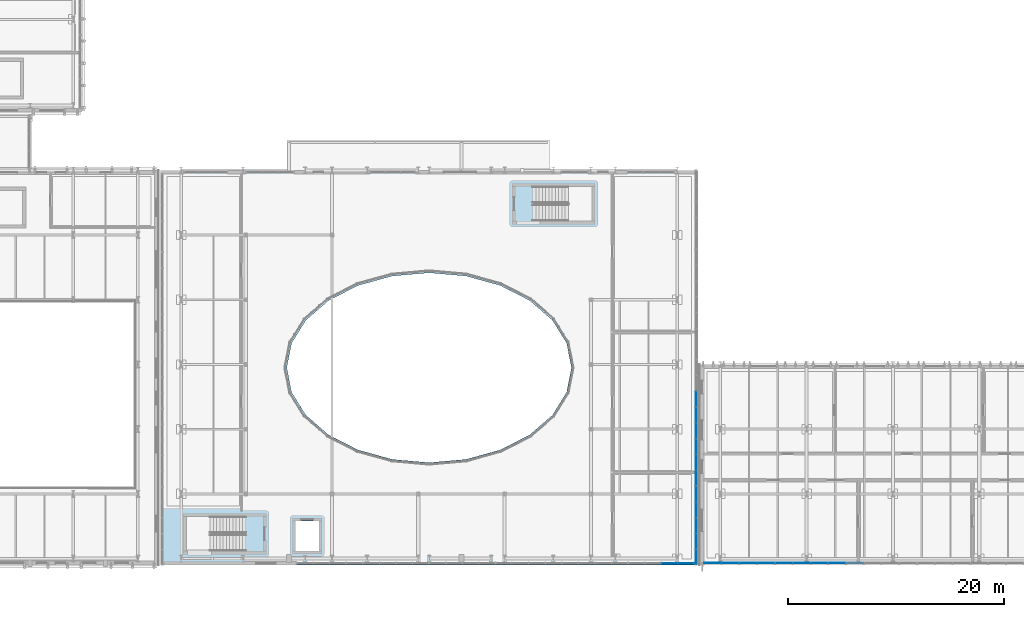
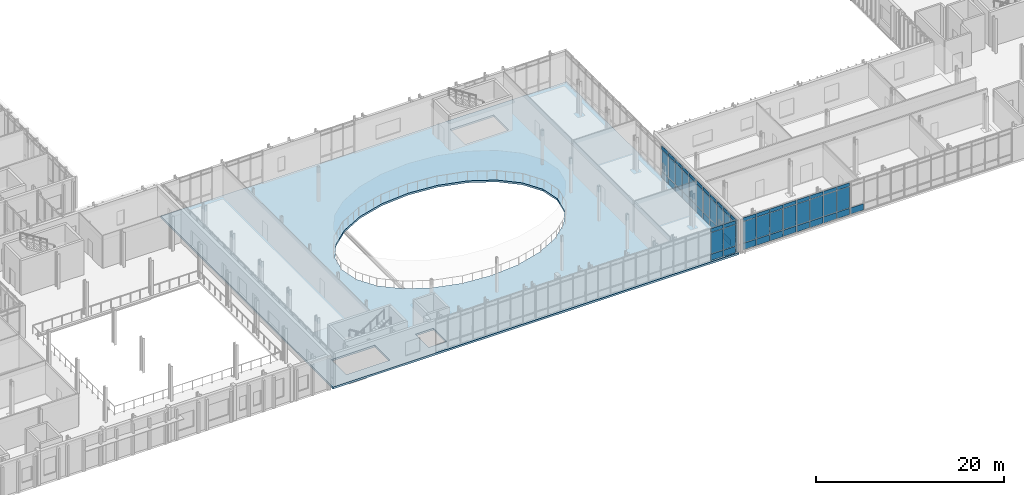
# One storey, part 52 of 100: 64 plates, 1 slab, 7 elements without a shape of their own.
"""IFC4 building model written with IfcOpenShell, lengths in metres."""

from ifc_helpers import new_model, si_unit, direction, frame, origin, origin_2d, place, context, subcontext, project, spatial, polyline, rectangle, outline, extrude, material, layer, layer_set, type_object, element, aggregate, save


model = new_model("IFC4")

# Units and contexts
model_context = context("Model", 3, precision=1e-05, world=origin(), true_north=direction((0.0, 1.0)))
body_context = subcontext(model_context, "Body", "Model", "MODEL_VIEW")
ifc_project = project(units=[si_unit("LENGTHUNIT", "METRE"), si_unit("AREAUNIT", "SQUARE_METRE"), si_unit("VOLUMEUNIT", "CUBIC_METRE"), si_unit("PLANEANGLEUNIT", "RADIAN"), si_unit("MASSUNIT", "GRAM", prefix="KILO")], contexts=[model_context])

# Site, building, storey
site_placement = place(None, origin())
site = spatial("IfcSite", under=ifc_project, at=site_placement, CompositionType="ELEMENT")
building_placement = place(site_placement, origin())
building = spatial("IfcBuilding", under=site, at=building_placement, Name="Cymarion Research Institute", CompositionType="ELEMENT")
storey_placement = place(building_placement, frame((0.0, 0.0, 4.800048828125)))
storey = spatial("IfcBuildingStorey", under=building, at=storey_placement, Name="L01", CompositionType="ELEMENT", Elevation=4.800048828125)

# Slab
ifc_material_1 = material(Name="Concrete C35/45", Category="concrete")
ifc_layer_1 = layer(ifc_material_1, 0.25)
ifc_layer_set_1 = layer_set([ifc_layer_1], Name="Concrete C35/45")
slab_type = type_object("IfcSlabType", Name="COMPOSITE FLOOR SLAB SL-FL250 250MM", PredefinedType="FLOOR", material=ifc_layer_set_1)
slab_placement = place(storey_placement, frame((0.0, 0.0, -0.25)))
element("IfcSlab", 1, at=slab_placement, inside=storey, type_object=slab_type, Name="L01 V2 floor slab", PredefinedType="FLOOR", context=body_context, shape_type="SweptSolid", body=[
    extrude(outline(polyline([(54.699951171875, 4.89990234375), (104.5, 4.89990234375), (104.5, 41.5), (54.699951171875, 41.5), (54.699951171875, 4.89990234375)]), holes=[polyline([(62.4599609375, 9.39990234375), (57.10009765625, 9.39990234375), (57.10009765625, 6.199951171875), (62.4599609375, 6.199951171875), (62.4599609375, 9.39990234375)]), polyline([(67.199951171875, 6.199951171875), (69.39990234375, 6.199951171875), (69.39990234375, 9.0), (67.199951171875, 9.0), (67.199951171875, 6.199951171875)]), polyline([(89.340087890625, 36.800048828125), (94.699951171875, 36.800048828125), (94.699951171875, 40.0), (89.340087890625, 40.0), (89.340087890625, 36.800048828125)]), polyline([(92.800048828125, 23.199951171875), (92.35009765625, 25.4775390625), (91.031494140625, 27.60009765625), (88.933837890625, 29.422607421875), (86.199951171875, 30.821044921875), (83.016357421875, 31.7001953125), (79.60009765625, 32.0), (76.18359375, 31.7001953125), (73.0, 30.821044921875), (70.26611328125, 29.422607421875), (68.16845703125, 27.60009765625), (66.849853515625, 25.4775390625), (66.39990234375, 23.199951171875), (66.849853515625, 20.92236328125), (68.16845703125, 18.800048828125), (70.26611328125, 16.9775390625), (73.0, 15.5791015625), (76.18359375, 14.699951171875), (79.60009765625, 14.39990234375), (83.016357421875, 14.699951171875), (86.199951171875, 15.5791015625), (88.933837890625, 16.9775390625), (91.031494140625, 18.800048828125), (92.35009765625, 20.92236328125), (92.800048828125, 23.199951171875)])]), origin(), (0.0, 0.0, 1.0), 0.25),
])

# Curtain wall, plates
ifc_material_2 = material(Name="Anodised aluminium unitised curtain wall with Low-E glazing", Category="aluminium")
curtain_wall_type_1 = type_object("IfcCurtainWallType", Name="UNITISED CURTAIN WALL CW01 6590X4250", PredefinedType="NOTDEFINED", material=ifc_material_2)
curtain_wall_1_placement = place(storey_placement, origin())
curtain_wall_1 = element("IfcCurtainWall", 2, at=curtain_wall_1_placement, inside=storey, type_object=curtain_wall_type_1, Name="L01 V1 unitised curtain wall CW01 #1", PredefinedType="NOTDEFINED")
ifc_material_3 = material(Name="Insulated anodised aluminium spandrel panel", Category="aluminium")
ifc_layer_2 = layer(ifc_material_3, 0.06005859375)
ifc_layer_set_2 = layer_set([ifc_layer_2], Name="Insulated anodised aluminium spandrel panel")
plate_type_1 = type_object("IfcPlateType", Name="INSULATED ALUMINIUM SPANDREL PANEL SP01 60MM", PredefinedType="SHEET", material=ifc_layer_set_2)
plate_1_placement = place(storey_placement, frame((105.901123046875, 5.090087890625, 0.059814453125), z_axis=(0.0, 0.0, 1.0), x_axis=(1.0, 0.0, 0.0)))
plate_1 = element("IfcPlate", 3, at=plate_1_placement, type_object=plate_type_1, Name="CW01 panel 1.1", PredefinedType="SHEET", context=body_context, shape_type="SweptSolid", body=[
    extrude(rectangle(XDim=1.558349609375, YDim=0.06005859375, at=origin_2d()), origin(), (0.0, 0.0, 1.0), 0.81005859375),
])
plate_2_placement = place(storey_placement, frame((105.901123046875, 5.090087890625, 3.72998046875), z_axis=(0.0, 0.0, 1.0), x_axis=(1.0, 0.0, 0.0)))
plate_2 = element("IfcPlate", 4, at=plate_2_placement, type_object=plate_type_1, Name="CW01 panel 1.3", PredefinedType="SHEET", context=body_context, shape_type="SweptSolid", body=[
    extrude(rectangle(XDim=1.558349609375, YDim=0.06005859375, at=origin_2d()), origin(), (0.0, 0.0, 1.0), 0.4599609375),
])
plate_3_placement = place(storey_placement, frame((107.534423828125, 5.090087890625, 0.059814453125), z_axis=(0.0, 0.0, 1.0), x_axis=(1.0, 0.0, 0.0)))
plate_3 = element("IfcPlate", 5, at=plate_3_placement, type_object=plate_type_1, Name="CW01 panel 2.1", PredefinedType="SHEET", context=body_context, shape_type="SweptSolid", body=[
    extrude(rectangle(XDim=1.58837890625, YDim=0.06005859375, at=origin_2d()), origin(), (0.0, 0.0, 1.0), 0.81005859375),
])
plate_4_placement = place(storey_placement, frame((107.534423828125, 5.090087890625, 3.72998046875), z_axis=(0.0, 0.0, 1.0), x_axis=(1.0, 0.0, 0.0)))
plate_4 = element("IfcPlate", 6, at=plate_4_placement, type_object=plate_type_1, Name="CW01 panel 2.3", PredefinedType="SHEET", context=body_context, shape_type="SweptSolid", body=[
    extrude(rectangle(XDim=1.58837890625, YDim=0.06005859375, at=origin_2d()), origin(), (0.0, 0.0, 1.0), 0.4599609375),
])
plate_5_placement = place(storey_placement, frame((109.1826171875, 5.090087890625, 0.059814453125), z_axis=(0.0, 0.0, 1.0), x_axis=(1.0, 0.0, 0.0)))
plate_5 = element("IfcPlate", 7, at=plate_5_placement, type_object=plate_type_1, Name="CW01 panel 3.1", PredefinedType="SHEET", context=body_context, shape_type="SweptSolid", body=[
    extrude(rectangle(XDim=1.58837890625, YDim=0.06005859375, at=origin_2d()), origin(), (0.0, 0.0, 1.0), 0.81005859375),
])
plate_6_placement = place(storey_placement, frame((109.1826171875, 5.090087890625, 3.72998046875), z_axis=(0.0, 0.0, 1.0), x_axis=(1.0, 0.0, 0.0)))
plate_6 = element("IfcPlate", 8, at=plate_6_placement, type_object=plate_type_1, Name="CW01 panel 3.3", PredefinedType="SHEET", context=body_context, shape_type="SweptSolid", body=[
    extrude(rectangle(XDim=1.58837890625, YDim=0.06005859375, at=origin_2d()), origin(), (0.0, 0.0, 1.0), 0.4599609375),
])
plate_7_placement = place(storey_placement, frame((110.81591796875, 5.090087890625, 0.059814453125), z_axis=(0.0, 0.0, 1.0), x_axis=(1.0, 0.0, 0.0)))
plate_7 = element("IfcPlate", 9, at=plate_7_placement, type_object=plate_type_1, Name="CW01 panel 4.1", PredefinedType="SHEET", context=body_context, shape_type="SweptSolid", body=[
    extrude(rectangle(XDim=1.558349609375, YDim=0.06005859375, at=origin_2d()), origin(), (0.0, 0.0, 1.0), 0.81005859375),
])
plate_8_placement = place(storey_placement, frame((110.81591796875, 5.090087890625, 3.72998046875), z_axis=(0.0, 0.0, 1.0), x_axis=(1.0, 0.0, 0.0)))
plate_8 = element("IfcPlate", 10, at=plate_8_placement, type_object=plate_type_1, Name="CW01 panel 4.3", PredefinedType="SHEET", context=body_context, shape_type="SweptSolid", body=[
    extrude(rectangle(XDim=1.558349609375, YDim=0.06005859375, at=origin_2d()), origin(), (0.0, 0.0, 1.0), 0.4599609375),
])

curtain_wall_2_placement = place(storey_placement, origin())
curtain_wall_2 = element("IfcCurtainWall", 11, at=curtain_wall_2_placement, inside=storey, type_object=curtain_wall_type_1, Name="L01 V1 unitised curtain wall CW01 #2", PredefinedType="NOTDEFINED")
plate_9_placement = place(storey_placement, frame((112.494140625, 5.090087890625, 0.059814453125), z_axis=(0.0, 0.0, 1.0), x_axis=(1.0, 0.0, 0.0)))
plate_9 = element("IfcPlate", 12, at=plate_9_placement, type_object=plate_type_1, Name="CW01 panel 1.1", PredefinedType="SHEET", context=body_context, shape_type="SweptSolid", body=[
    extrude(rectangle(XDim=1.558349609375, YDim=0.06005859375, at=origin_2d()), origin(), (0.0, 0.0, 1.0), 0.81005859375),
])
plate_10_placement = place(storey_placement, frame((112.494140625, 5.090087890625, 3.72998046875), z_axis=(0.0, 0.0, 1.0), x_axis=(1.0, 0.0, 0.0)))
plate_10 = element("IfcPlate", 13, at=plate_10_placement, type_object=plate_type_1, Name="CW01 panel 1.3", PredefinedType="SHEET", context=body_context, shape_type="SweptSolid", body=[
    extrude(rectangle(XDim=1.558349609375, YDim=0.06005859375, at=origin_2d()), origin(), (0.0, 0.0, 1.0), 0.4599609375),
])
plate_11_placement = place(storey_placement, frame((114.12744140625, 5.090087890625, 0.059814453125), z_axis=(0.0, 0.0, 1.0), x_axis=(1.0, 0.0, 0.0)))
plate_11 = element("IfcPlate", 14, at=plate_11_placement, type_object=plate_type_1, Name="CW01 panel 2.1", PredefinedType="SHEET", context=body_context, shape_type="SweptSolid", body=[
    extrude(rectangle(XDim=1.58837890625, YDim=0.06005859375, at=origin_2d()), origin(), (0.0, 0.0, 1.0), 0.81005859375),
])
plate_12_placement = place(storey_placement, frame((114.12744140625, 5.090087890625, 3.72998046875), z_axis=(0.0, 0.0, 1.0), x_axis=(1.0, 0.0, 0.0)))
plate_12 = element("IfcPlate", 15, at=plate_12_placement, type_object=plate_type_1, Name="CW01 panel 2.3", PredefinedType="SHEET", context=body_context, shape_type="SweptSolid", body=[
    extrude(rectangle(XDim=1.58837890625, YDim=0.06005859375, at=origin_2d()), origin(), (0.0, 0.0, 1.0), 0.4599609375),
])
plate_13_placement = place(storey_placement, frame((115.77587890625, 5.090087890625, 0.059814453125), z_axis=(0.0, 0.0, 1.0), x_axis=(1.0, 0.0, 0.0)))
plate_13 = element("IfcPlate", 16, at=plate_13_placement, type_object=plate_type_1, Name="CW01 panel 3.1", PredefinedType="SHEET", context=body_context, shape_type="SweptSolid", body=[
    extrude(rectangle(XDim=1.58837890625, YDim=0.06005859375, at=origin_2d()), origin(), (0.0, 0.0, 1.0), 0.81005859375),
])
plate_14_placement = place(storey_placement, frame((115.77587890625, 5.090087890625, 3.72998046875), z_axis=(0.0, 0.0, 1.0), x_axis=(1.0, 0.0, 0.0)))
plate_14 = element("IfcPlate", 17, at=plate_14_placement, type_object=plate_type_1, Name="CW01 panel 3.3", PredefinedType="SHEET", context=body_context, shape_type="SweptSolid", body=[
    extrude(rectangle(XDim=1.58837890625, YDim=0.06005859375, at=origin_2d()), origin(), (0.0, 0.0, 1.0), 0.4599609375),
])
plate_15_placement = place(storey_placement, frame((117.4091796875, 5.090087890625, 0.059814453125), z_axis=(0.0, 0.0, 1.0), x_axis=(1.0, 0.0, 0.0)))
plate_15 = element("IfcPlate", 18, at=plate_15_placement, type_object=plate_type_1, Name="CW01 panel 4.1", PredefinedType="SHEET", context=body_context, shape_type="SweptSolid", body=[
    extrude(rectangle(XDim=1.558349609375, YDim=0.06005859375, at=origin_2d()), origin(), (0.0, 0.0, 1.0), 0.81005859375),
])
plate_16_placement = place(storey_placement, frame((117.4091796875, 5.090087890625, 3.72998046875), z_axis=(0.0, 0.0, 1.0), x_axis=(1.0, 0.0, 0.0)))
plate_16 = element("IfcPlate", 19, at=plate_16_placement, type_object=plate_type_1, Name="CW01 panel 4.3", PredefinedType="SHEET", context=body_context, shape_type="SweptSolid", body=[
    extrude(rectangle(XDim=1.558349609375, YDim=0.06005859375, at=origin_2d()), origin(), (0.0, 0.0, 1.0), 0.4599609375),
])

# Curtain wall, plate
curtain_wall_3_placement = place(storey_placement, origin())
curtain_wall_3 = element("IfcCurtainWall", 20, at=curtain_wall_3_placement, inside=storey, type_object=curtain_wall_type_1, Name="L01 V1 unitised curtain wall CW01 #3", PredefinedType="NOTDEFINED")
plate_17_placement = place(storey_placement, frame((119.08740234375, 5.090087890625, 0.059814453125), z_axis=(0.0, 0.0, 1.0), x_axis=(1.0, 0.0, 0.0)))
plate_17 = element("IfcPlate", 21, at=plate_17_placement, type_object=plate_type_1, Name="CW01 panel 1.1", PredefinedType="SHEET", context=body_context, shape_type="SweptSolid", body=[
    extrude(rectangle(XDim=1.558349609375, YDim=0.06005859375, at=origin_2d()), origin(), (0.0, 0.0, 1.0), 0.81005859375),
])
aggregate(curtain_wall_3, [plate_17])

# Curtain wall, plates
curtain_wall_type_2 = type_object("IfcCurtainWallType", Name="UNITISED CURTAIN WALL CW07 6150X4250", PredefinedType="NOTDEFINED", material=ifc_material_2)
curtain_wall_4_placement = place(storey_placement, origin())
curtain_wall_4 = element("IfcCurtainWall", 22, at=curtain_wall_4_placement, inside=storey, type_object=curtain_wall_type_2, Name="L01 V2 unitised curtain wall CW07 #18", PredefinedType="NOTDEFINED")
plate_18_placement = place(storey_placement, frame((101.891845703125, 5.06005859375, 0.059814453125), z_axis=(0.0, 0.0, 1.0), x_axis=(1.0, 0.0, 0.0)))
plate_18 = element("IfcPlate", 23, at=plate_18_placement, type_object=plate_type_1, Name="CW07 panel 3.1", PredefinedType="SHEET", context=body_context, shape_type="SweptSolid", body=[
    extrude(rectangle(XDim=1.477294921875, YDim=0.06005859375, at=origin_2d()), origin(), (0.0, 0.0, 1.0), 0.81005859375),
])
plate_19_placement = place(storey_placement, frame((101.891845703125, 5.06005859375, 3.72998046875), z_axis=(0.0, 0.0, 1.0), x_axis=(1.0, 0.0, 0.0)))
plate_19 = element("IfcPlate", 24, at=plate_19_placement, type_object=plate_type_1, Name="CW07 panel 3.3", PredefinedType="SHEET", context=body_context, shape_type="SweptSolid", body=[
    extrude(rectangle(XDim=1.477294921875, YDim=0.06005859375, at=origin_2d()), origin(), (0.0, 0.0, 1.0), 0.4599609375),
])
plate_20_placement = place(storey_placement, frame((103.414306640625, 5.06005859375, 0.059814453125), z_axis=(0.0, 0.0, 1.0), x_axis=(1.0, 0.0, 0.0)))
plate_20 = element("IfcPlate", 25, at=plate_20_placement, type_object=plate_type_1, Name="CW07 panel 4.1", PredefinedType="SHEET", context=body_context, shape_type="SweptSolid", body=[
    extrude(rectangle(XDim=1.447265625, YDim=0.06005859375, at=origin_2d()), origin(), (0.0, 0.0, 1.0), 0.81005859375),
])
plate_21_placement = place(storey_placement, frame((103.414306640625, 5.06005859375, 3.72998046875), z_axis=(0.0, 0.0, 1.0), x_axis=(1.0, 0.0, 0.0)))
plate_21 = element("IfcPlate", 26, at=plate_21_placement, type_object=plate_type_1, Name="CW07 panel 4.3", PredefinedType="SHEET", context=body_context, shape_type="SweptSolid", body=[
    extrude(rectangle(XDim=1.447265625, YDim=0.06005859375, at=origin_2d()), origin(), (0.0, 0.0, 1.0), 0.4599609375),
])

curtain_wall_type_3 = type_object("IfcCurtainWallType", Name="UNITISED CURTAIN WALL CW08 7320X4250", PredefinedType="NOTDEFINED", material=ifc_material_2)
curtain_wall_5_placement = place(storey_placement, origin())
curtain_wall_5 = element("IfcCurtainWall", 27, at=curtain_wall_5_placement, inside=storey, type_object=curtain_wall_type_3, Name="L01 V2 unitised curtain wall CW08 #19", PredefinedType="NOTDEFINED")
plate_22_placement = place(storey_placement, frame((104.340087890625, 5.64697265625, 0.059814453125), z_axis=(0.0, 0.0, 1.0), x_axis=(0.0, 1.0, 0.0)))
plate_22 = element("IfcPlate", 28, at=plate_22_placement, type_object=plate_type_1, Name="CW08 panel 1.1", PredefinedType="SHEET", context=body_context, shape_type="SweptSolid", body=[
    extrude(rectangle(XDim=1.3740234375, YDim=0.06005859375, at=origin_2d()), origin(), (0.0, 0.0, 1.0), 0.81005859375),
])
plate_23_placement = place(storey_placement, frame((104.340087890625, 5.64697265625, 3.72998046875), z_axis=(0.0, 0.0, 1.0), x_axis=(0.0, 1.0, 0.0)))
plate_23 = element("IfcPlate", 29, at=plate_23_placement, type_object=plate_type_1, Name="CW08 panel 1.3", PredefinedType="SHEET", context=body_context, shape_type="SweptSolid", body=[
    extrude(rectangle(XDim=1.3740234375, YDim=0.06005859375, at=origin_2d()), origin(), (0.0, 0.0, 1.0), 0.4599609375),
])
plate_24_placement = place(storey_placement, frame((104.340087890625, 7.095947265625, 0.059814453125), z_axis=(0.0, 0.0, 1.0), x_axis=(0.0, 1.0, 0.0)))
plate_24 = element("IfcPlate", 30, at=plate_24_placement, type_object=plate_type_1, Name="CW08 panel 2.1", PredefinedType="SHEET", context=body_context, shape_type="SweptSolid", body=[
    extrude(rectangle(XDim=1.404052734375, YDim=0.06005859375, at=origin_2d()), origin(), (0.0, 0.0, 1.0), 0.81005859375),
])
plate_25_placement = place(storey_placement, frame((104.340087890625, 7.095947265625, 3.72998046875), z_axis=(0.0, 0.0, 1.0), x_axis=(0.0, 1.0, 0.0)))
plate_25 = element("IfcPlate", 31, at=plate_25_placement, type_object=plate_type_1, Name="CW08 panel 2.3", PredefinedType="SHEET", context=body_context, shape_type="SweptSolid", body=[
    extrude(rectangle(XDim=1.404052734375, YDim=0.06005859375, at=origin_2d()), origin(), (0.0, 0.0, 1.0), 0.4599609375),
])
plate_26_placement = place(storey_placement, frame((104.340087890625, 8.56005859375, 0.059814453125), z_axis=(0.0, 0.0, 1.0), x_axis=(0.0, 1.0, 0.0)))
plate_26 = element("IfcPlate", 32, at=plate_26_placement, type_object=plate_type_1, Name="CW08 panel 3.1", PredefinedType="SHEET", context=body_context, shape_type="SweptSolid", body=[
    extrude(rectangle(XDim=1.404052734375, YDim=0.06005859375, at=origin_2d()), origin(), (0.0, 0.0, 1.0), 0.81005859375),
])
plate_27_placement = place(storey_placement, frame((104.340087890625, 8.56005859375, 3.72998046875), z_axis=(0.0, 0.0, 1.0), x_axis=(0.0, 1.0, 0.0)))
plate_27 = element("IfcPlate", 33, at=plate_27_placement, type_object=plate_type_1, Name="CW08 panel 3.3", PredefinedType="SHEET", context=body_context, shape_type="SweptSolid", body=[
    extrude(rectangle(XDim=1.404052734375, YDim=0.06005859375, at=origin_2d()), origin(), (0.0, 0.0, 1.0), 0.4599609375),
])
plate_28_placement = place(storey_placement, frame((104.340087890625, 10.02392578125, 0.059814453125), z_axis=(0.0, 0.0, 1.0), x_axis=(0.0, 1.0, 0.0)))
plate_28 = element("IfcPlate", 34, at=plate_28_placement, type_object=plate_type_1, Name="CW08 panel 4.1", PredefinedType="SHEET", context=body_context, shape_type="SweptSolid", body=[
    extrude(rectangle(XDim=1.404052734375, YDim=0.06005859375, at=origin_2d()), origin(), (0.0, 0.0, 1.0), 0.81005859375),
])
plate_29_placement = place(storey_placement, frame((104.340087890625, 10.02392578125, 3.72998046875), z_axis=(0.0, 0.0, 1.0), x_axis=(0.0, 1.0, 0.0)))
plate_29 = element("IfcPlate", 35, at=plate_29_placement, type_object=plate_type_1, Name="CW08 panel 4.3", PredefinedType="SHEET", context=body_context, shape_type="SweptSolid", body=[
    extrude(rectangle(XDim=1.404052734375, YDim=0.06005859375, at=origin_2d()), origin(), (0.0, 0.0, 1.0), 0.4599609375),
])
plate_30_placement = place(storey_placement, frame((104.340087890625, 11.472900390625, 0.059814453125), z_axis=(0.0, 0.0, 1.0), x_axis=(0.0, 1.0, 0.0)))
plate_30 = element("IfcPlate", 36, at=plate_30_placement, type_object=plate_type_1, Name="CW08 panel 5.1", PredefinedType="SHEET", context=body_context, shape_type="SweptSolid", body=[
    extrude(rectangle(XDim=1.3740234375, YDim=0.06005859375, at=origin_2d()), origin(), (0.0, 0.0, 1.0), 0.81005859375),
])
plate_31_placement = place(storey_placement, frame((104.340087890625, 11.472900390625, 3.72998046875), z_axis=(0.0, 0.0, 1.0), x_axis=(0.0, 1.0, 0.0)))
plate_31 = element("IfcPlate", 37, at=plate_31_placement, type_object=plate_type_1, Name="CW08 panel 5.3", PredefinedType="SHEET", context=body_context, shape_type="SweptSolid", body=[
    extrude(rectangle(XDim=1.3740234375, YDim=0.06005859375, at=origin_2d()), origin(), (0.0, 0.0, 1.0), 0.4599609375),
])

curtain_wall_6_placement = place(storey_placement, origin())
curtain_wall_6 = element("IfcCurtainWall", 38, at=curtain_wall_6_placement, inside=storey, type_object=curtain_wall_type_3, Name="L01 V2 unitised curtain wall CW08 #20", PredefinedType="NOTDEFINED")
plate_32_placement = place(storey_placement, frame((104.340087890625, 12.967041015625, 0.059814453125), z_axis=(0.0, 0.0, 1.0), x_axis=(0.0, 1.0, 0.0)))
plate_32 = element("IfcPlate", 39, at=plate_32_placement, type_object=plate_type_1, Name="CW08 panel 1.1", PredefinedType="SHEET", context=body_context, shape_type="SweptSolid", body=[
    extrude(rectangle(XDim=1.3740234375, YDim=0.06005859375, at=origin_2d()), origin(), (0.0, 0.0, 1.0), 0.81005859375),
])
plate_33_placement = place(storey_placement, frame((104.340087890625, 12.967041015625, 3.72998046875), z_axis=(0.0, 0.0, 1.0), x_axis=(0.0, 1.0, 0.0)))
plate_33 = element("IfcPlate", 40, at=plate_33_placement, type_object=plate_type_1, Name="CW08 panel 1.3", PredefinedType="SHEET", context=body_context, shape_type="SweptSolid", body=[
    extrude(rectangle(XDim=1.3740234375, YDim=0.06005859375, at=origin_2d()), origin(), (0.0, 0.0, 1.0), 0.4599609375),
])
plate_34_placement = place(storey_placement, frame((104.340087890625, 14.416015625, 0.059814453125), z_axis=(0.0, 0.0, 1.0), x_axis=(0.0, 1.0, 0.0)))
plate_34 = element("IfcPlate", 41, at=plate_34_placement, type_object=plate_type_1, Name="CW08 panel 2.1", PredefinedType="SHEET", context=body_context, shape_type="SweptSolid", body=[
    extrude(rectangle(XDim=1.404052734375, YDim=0.06005859375, at=origin_2d()), origin(), (0.0, 0.0, 1.0), 0.81005859375),
])
plate_35_placement = place(storey_placement, frame((104.340087890625, 14.416015625, 3.72998046875), z_axis=(0.0, 0.0, 1.0), x_axis=(0.0, 1.0, 0.0)))
plate_35 = element("IfcPlate", 42, at=plate_35_placement, type_object=plate_type_1, Name="CW08 panel 2.3", PredefinedType="SHEET", context=body_context, shape_type="SweptSolid", body=[
    extrude(rectangle(XDim=1.404052734375, YDim=0.06005859375, at=origin_2d()), origin(), (0.0, 0.0, 1.0), 0.4599609375),
])
plate_36_placement = place(storey_placement, frame((104.340087890625, 15.8798828125, 0.059814453125), z_axis=(0.0, 0.0, 1.0), x_axis=(0.0, 1.0, 0.0)))
plate_36 = element("IfcPlate", 43, at=plate_36_placement, type_object=plate_type_1, Name="CW08 panel 3.1", PredefinedType="SHEET", context=body_context, shape_type="SweptSolid", body=[
    extrude(rectangle(XDim=1.404052734375, YDim=0.06005859375, at=origin_2d()), origin(), (0.0, 0.0, 1.0), 0.81005859375),
])
plate_37_placement = place(storey_placement, frame((104.340087890625, 15.8798828125, 3.72998046875), z_axis=(0.0, 0.0, 1.0), x_axis=(0.0, 1.0, 0.0)))
plate_37 = element("IfcPlate", 44, at=plate_37_placement, type_object=plate_type_1, Name="CW08 panel 3.3", PredefinedType="SHEET", context=body_context, shape_type="SweptSolid", body=[
    extrude(rectangle(XDim=1.404052734375, YDim=0.06005859375, at=origin_2d()), origin(), (0.0, 0.0, 1.0), 0.4599609375),
])
plate_38_placement = place(storey_placement, frame((104.340087890625, 17.343994140625, 0.059814453125), z_axis=(0.0, 0.0, 1.0), x_axis=(0.0, 1.0, 0.0)))
plate_38 = element("IfcPlate", 45, at=plate_38_placement, type_object=plate_type_1, Name="CW08 panel 4.1", PredefinedType="SHEET", context=body_context, shape_type="SweptSolid", body=[
    extrude(rectangle(XDim=1.404052734375, YDim=0.06005859375, at=origin_2d()), origin(), (0.0, 0.0, 1.0), 0.81005859375),
])
plate_39_placement = place(storey_placement, frame((104.340087890625, 17.343994140625, 3.72998046875), z_axis=(0.0, 0.0, 1.0), x_axis=(0.0, 1.0, 0.0)))
plate_39 = element("IfcPlate", 46, at=plate_39_placement, type_object=plate_type_1, Name="CW08 panel 4.3", PredefinedType="SHEET", context=body_context, shape_type="SweptSolid", body=[
    extrude(rectangle(XDim=1.404052734375, YDim=0.06005859375, at=origin_2d()), origin(), (0.0, 0.0, 1.0), 0.4599609375),
])
plate_40_placement = place(storey_placement, frame((104.340087890625, 18.79296875, 0.059814453125), z_axis=(0.0, 0.0, 1.0), x_axis=(0.0, 1.0, 0.0)))
plate_40 = element("IfcPlate", 47, at=plate_40_placement, type_object=plate_type_1, Name="CW08 panel 5.1", PredefinedType="SHEET", context=body_context, shape_type="SweptSolid", body=[
    extrude(rectangle(XDim=1.3740234375, YDim=0.06005859375, at=origin_2d()), origin(), (0.0, 0.0, 1.0), 0.81005859375),
])
plate_41_placement = place(storey_placement, frame((104.340087890625, 18.79296875, 3.72998046875), z_axis=(0.0, 0.0, 1.0), x_axis=(0.0, 1.0, 0.0)))
plate_41 = element("IfcPlate", 48, at=plate_41_placement, type_object=plate_type_1, Name="CW08 panel 5.3", PredefinedType="SHEET", context=body_context, shape_type="SweptSolid", body=[
    extrude(rectangle(XDim=1.3740234375, YDim=0.06005859375, at=origin_2d()), origin(), (0.0, 0.0, 1.0), 0.4599609375),
])

curtain_wall_7_placement = place(storey_placement, origin())
curtain_wall_7 = element("IfcCurtainWall", 49, at=curtain_wall_7_placement, inside=storey, type_object=curtain_wall_type_3, Name="L01 V2 unitised curtain wall CW08 #21", PredefinedType="NOTDEFINED")
plate_42_placement = place(storey_placement, frame((104.340087890625, 20.287109375, 0.059814453125), z_axis=(0.0, 0.0, 1.0), x_axis=(0.0, 1.0, 0.0)))
plate_42 = element("IfcPlate", 50, at=plate_42_placement, type_object=plate_type_1, Name="CW08 panel 1.1", PredefinedType="SHEET", context=body_context, shape_type="SweptSolid", body=[
    extrude(rectangle(XDim=1.3740234375, YDim=0.06005859375, at=origin_2d()), origin(), (0.0, 0.0, 1.0), 0.81005859375),
])
plate_43_placement = place(storey_placement, frame((104.340087890625, 20.287109375, 3.72998046875), z_axis=(0.0, 0.0, 1.0), x_axis=(0.0, 1.0, 0.0)))
plate_43 = element("IfcPlate", 51, at=plate_43_placement, type_object=plate_type_1, Name="CW08 panel 1.3", PredefinedType="SHEET", context=body_context, shape_type="SweptSolid", body=[
    extrude(rectangle(XDim=1.3740234375, YDim=0.06005859375, at=origin_2d()), origin(), (0.0, 0.0, 1.0), 0.4599609375),
])

# Plate
ifc_material_4 = material(Name="Low-E double solar-control glazing", Category="glass")
ifc_layer_3 = layer(ifc_material_4, 0.035888671875)
ifc_layer_set_3 = layer_set([ifc_layer_3], Name="Low-E double solar-control glazing")
plate_type_2 = type_object("IfcPlateType", Name="SOLAR CONTROL GLAZED VISION PANEL GP01 36MM", PredefinedType="CURTAIN_PANEL", material=ifc_layer_set_3)
plate_44_placement = place(storey_placement, frame((105.901123046875, 5.090087890625, 0.93017578125), z_axis=(0.0, 0.0, 1.0), x_axis=(1.0, 0.0, 0.0)))
plate_44 = element("IfcPlate", 52, at=plate_44_placement, type_object=plate_type_2, Name="CW01 panel 1.2", PredefinedType="CURTAIN_PANEL", context=body_context, shape_type="SweptSolid", body=[
    extrude(rectangle(XDim=1.558349609375, YDim=0.035888671875, at=origin_2d()), origin(), (0.0, 0.0, 1.0), 2.739990234375),
])

plate_45_placement = place(storey_placement, frame((107.534423828125, 5.090087890625, 0.93017578125), z_axis=(0.0, 0.0, 1.0), x_axis=(1.0, 0.0, 0.0)))
plate_45 = element("IfcPlate", 53, at=plate_45_placement, type_object=plate_type_2, Name="CW01 panel 2.2", PredefinedType="CURTAIN_PANEL", context=body_context, shape_type="SweptSolid", body=[
    extrude(rectangle(XDim=1.58837890625, YDim=0.035888671875, at=origin_2d()), origin(), (0.0, 0.0, 1.0), 2.739990234375),
])

plate_46_placement = place(storey_placement, frame((109.1826171875, 5.090087890625, 0.93017578125), z_axis=(0.0, 0.0, 1.0), x_axis=(1.0, 0.0, 0.0)))
plate_46 = element("IfcPlate", 54, at=plate_46_placement, type_object=plate_type_2, Name="CW01 panel 3.2", PredefinedType="CURTAIN_PANEL", context=body_context, shape_type="SweptSolid", body=[
    extrude(rectangle(XDim=1.58837890625, YDim=0.035888671875, at=origin_2d()), origin(), (0.0, 0.0, 1.0), 2.739990234375),
])

plate_47_placement = place(storey_placement, frame((110.81591796875, 5.090087890625, 0.93017578125), z_axis=(0.0, 0.0, 1.0), x_axis=(1.0, 0.0, 0.0)))
plate_47 = element("IfcPlate", 55, at=plate_47_placement, type_object=plate_type_2, Name="CW01 panel 4.2", PredefinedType="CURTAIN_PANEL", context=body_context, shape_type="SweptSolid", body=[
    extrude(rectangle(XDim=1.558349609375, YDim=0.035888671875, at=origin_2d()), origin(), (0.0, 0.0, 1.0), 2.739990234375),
])

aggregate(curtain_wall_1, [plate_1, plate_44, plate_2, plate_3, plate_45, plate_4, plate_5, plate_46, plate_6, plate_7, plate_47, plate_8])

plate_48_placement = place(storey_placement, frame((112.494140625, 5.090087890625, 0.93017578125), z_axis=(0.0, 0.0, 1.0), x_axis=(1.0, 0.0, 0.0)))
plate_48 = element("IfcPlate", 56, at=plate_48_placement, type_object=plate_type_2, Name="CW01 panel 1.2", PredefinedType="CURTAIN_PANEL", context=body_context, shape_type="SweptSolid", body=[
    extrude(rectangle(XDim=1.558349609375, YDim=0.035888671875, at=origin_2d()), origin(), (0.0, 0.0, 1.0), 2.739990234375),
])

plate_49_placement = place(storey_placement, frame((114.12744140625, 5.090087890625, 0.93017578125), z_axis=(0.0, 0.0, 1.0), x_axis=(1.0, 0.0, 0.0)))
plate_49 = element("IfcPlate", 57, at=plate_49_placement, type_object=plate_type_2, Name="CW01 panel 2.2", PredefinedType="CURTAIN_PANEL", context=body_context, shape_type="SweptSolid", body=[
    extrude(rectangle(XDim=1.58837890625, YDim=0.035888671875, at=origin_2d()), origin(), (0.0, 0.0, 1.0), 2.739990234375),
])

plate_50_placement = place(storey_placement, frame((115.77587890625, 5.090087890625, 0.93017578125), z_axis=(0.0, 0.0, 1.0), x_axis=(1.0, 0.0, 0.0)))
plate_50 = element("IfcPlate", 58, at=plate_50_placement, type_object=plate_type_2, Name="CW01 panel 3.2", PredefinedType="CURTAIN_PANEL", context=body_context, shape_type="SweptSolid", body=[
    extrude(rectangle(XDim=1.58837890625, YDim=0.035888671875, at=origin_2d()), origin(), (0.0, 0.0, 1.0), 2.739990234375),
])

plate_51_placement = place(storey_placement, frame((117.4091796875, 5.090087890625, 0.93017578125), z_axis=(0.0, 0.0, 1.0), x_axis=(1.0, 0.0, 0.0)))
plate_51 = element("IfcPlate", 59, at=plate_51_placement, type_object=plate_type_2, Name="CW01 panel 4.2", PredefinedType="CURTAIN_PANEL", context=body_context, shape_type="SweptSolid", body=[
    extrude(rectangle(XDim=1.558349609375, YDim=0.035888671875, at=origin_2d()), origin(), (0.0, 0.0, 1.0), 2.739990234375),
])

aggregate(curtain_wall_2, [plate_9, plate_48, plate_10, plate_11, plate_49, plate_12, plate_13, plate_50, plate_14, plate_15, plate_51, plate_16])

plate_52_placement = place(storey_placement, frame((101.891845703125, 5.06005859375, 0.93017578125), z_axis=(0.0, 0.0, 1.0), x_axis=(1.0, 0.0, 0.0)))
plate_52 = element("IfcPlate", 60, at=plate_52_placement, type_object=plate_type_2, Name="CW07 panel 3.2", PredefinedType="CURTAIN_PANEL", context=body_context, shape_type="SweptSolid", body=[
    extrude(rectangle(XDim=1.477294921875, YDim=0.035888671875, at=origin_2d()), origin(), (0.0, 0.0, 1.0), 2.739990234375),
])

plate_53_placement = place(storey_placement, frame((103.414306640625, 5.06005859375, 0.93017578125), z_axis=(0.0, 0.0, 1.0), x_axis=(1.0, 0.0, 0.0)))
plate_53 = element("IfcPlate", 61, at=plate_53_placement, type_object=plate_type_2, Name="CW07 panel 4.2", PredefinedType="CURTAIN_PANEL", context=body_context, shape_type="SweptSolid", body=[
    extrude(rectangle(XDim=1.447265625, YDim=0.035888671875, at=origin_2d()), origin(), (0.0, 0.0, 1.0), 2.739990234375),
])

aggregate(curtain_wall_4, [plate_18, plate_52, plate_19, plate_20, plate_53, plate_21])

plate_54_placement = place(storey_placement, frame((104.340087890625, 5.64697265625, 0.93017578125), z_axis=(0.0, 0.0, 1.0), x_axis=(0.0, 1.0, 0.0)))
plate_54 = element("IfcPlate", 62, at=plate_54_placement, type_object=plate_type_2, Name="CW08 panel 1.2", PredefinedType="CURTAIN_PANEL", context=body_context, shape_type="SweptSolid", body=[
    extrude(rectangle(XDim=1.3740234375, YDim=0.035888671875, at=origin_2d()), origin(), (0.0, 0.0, 1.0), 2.739990234375),
])

plate_55_placement = place(storey_placement, frame((104.340087890625, 7.095947265625, 0.93017578125), z_axis=(0.0, 0.0, 1.0), x_axis=(0.0, 1.0, 0.0)))
plate_55 = element("IfcPlate", 63, at=plate_55_placement, type_object=plate_type_2, Name="CW08 panel 2.2", PredefinedType="CURTAIN_PANEL", context=body_context, shape_type="SweptSolid", body=[
    extrude(rectangle(XDim=1.404052734375, YDim=0.035888671875, at=origin_2d()), origin(), (0.0, 0.0, 1.0), 2.739990234375),
])

plate_56_placement = place(storey_placement, frame((104.340087890625, 8.56005859375, 0.93017578125), z_axis=(0.0, 0.0, 1.0), x_axis=(0.0, 1.0, 0.0)))
plate_56 = element("IfcPlate", 64, at=plate_56_placement, type_object=plate_type_2, Name="CW08 panel 3.2", PredefinedType="CURTAIN_PANEL", context=body_context, shape_type="SweptSolid", body=[
    extrude(rectangle(XDim=1.404052734375, YDim=0.035888671875, at=origin_2d()), origin(), (0.0, 0.0, 1.0), 2.739990234375),
])

plate_57_placement = place(storey_placement, frame((104.340087890625, 10.02392578125, 0.93017578125), z_axis=(0.0, 0.0, 1.0), x_axis=(0.0, 1.0, 0.0)))
plate_57 = element("IfcPlate", 65, at=plate_57_placement, type_object=plate_type_2, Name="CW08 panel 4.2", PredefinedType="CURTAIN_PANEL", context=body_context, shape_type="SweptSolid", body=[
    extrude(rectangle(XDim=1.404052734375, YDim=0.035888671875, at=origin_2d()), origin(), (0.0, 0.0, 1.0), 2.739990234375),
])

plate_58_placement = place(storey_placement, frame((104.340087890625, 11.472900390625, 0.93017578125), z_axis=(0.0, 0.0, 1.0), x_axis=(0.0, 1.0, 0.0)))
plate_58 = element("IfcPlate", 66, at=plate_58_placement, type_object=plate_type_2, Name="CW08 panel 5.2", PredefinedType="CURTAIN_PANEL", context=body_context, shape_type="SweptSolid", body=[
    extrude(rectangle(XDim=1.3740234375, YDim=0.035888671875, at=origin_2d()), origin(), (0.0, 0.0, 1.0), 2.739990234375),
])

aggregate(curtain_wall_5, [plate_22, plate_54, plate_23, plate_24, plate_55, plate_25, plate_26, plate_56, plate_27, plate_28, plate_57, plate_29, plate_30, plate_58, plate_31])

plate_59_placement = place(storey_placement, frame((104.340087890625, 12.967041015625, 0.93017578125), z_axis=(0.0, 0.0, 1.0), x_axis=(0.0, 1.0, 0.0)))
plate_59 = element("IfcPlate", 67, at=plate_59_placement, type_object=plate_type_2, Name="CW08 panel 1.2", PredefinedType="CURTAIN_PANEL", context=body_context, shape_type="SweptSolid", body=[
    extrude(rectangle(XDim=1.3740234375, YDim=0.035888671875, at=origin_2d()), origin(), (0.0, 0.0, 1.0), 2.739990234375),
])

plate_60_placement = place(storey_placement, frame((104.340087890625, 14.416015625, 0.93017578125), z_axis=(0.0, 0.0, 1.0), x_axis=(0.0, 1.0, 0.0)))
plate_60 = element("IfcPlate", 68, at=plate_60_placement, type_object=plate_type_2, Name="CW08 panel 2.2", PredefinedType="CURTAIN_PANEL", context=body_context, shape_type="SweptSolid", body=[
    extrude(rectangle(XDim=1.404052734375, YDim=0.035888671875, at=origin_2d()), origin(), (0.0, 0.0, 1.0), 2.739990234375),
])

plate_61_placement = place(storey_placement, frame((104.340087890625, 15.8798828125, 0.93017578125), z_axis=(0.0, 0.0, 1.0), x_axis=(0.0, 1.0, 0.0)))
plate_61 = element("IfcPlate", 69, at=plate_61_placement, type_object=plate_type_2, Name="CW08 panel 3.2", PredefinedType="CURTAIN_PANEL", context=body_context, shape_type="SweptSolid", body=[
    extrude(rectangle(XDim=1.404052734375, YDim=0.035888671875, at=origin_2d()), origin(), (0.0, 0.0, 1.0), 2.739990234375),
])

plate_62_placement = place(storey_placement, frame((104.340087890625, 17.343994140625, 0.93017578125), z_axis=(0.0, 0.0, 1.0), x_axis=(0.0, 1.0, 0.0)))
plate_62 = element("IfcPlate", 70, at=plate_62_placement, type_object=plate_type_2, Name="CW08 panel 4.2", PredefinedType="CURTAIN_PANEL", context=body_context, shape_type="SweptSolid", body=[
    extrude(rectangle(XDim=1.404052734375, YDim=0.035888671875, at=origin_2d()), origin(), (0.0, 0.0, 1.0), 2.739990234375),
])

plate_63_placement = place(storey_placement, frame((104.340087890625, 18.79296875, 0.93017578125), z_axis=(0.0, 0.0, 1.0), x_axis=(0.0, 1.0, 0.0)))
plate_63 = element("IfcPlate", 71, at=plate_63_placement, type_object=plate_type_2, Name="CW08 panel 5.2", PredefinedType="CURTAIN_PANEL", context=body_context, shape_type="SweptSolid", body=[
    extrude(rectangle(XDim=1.3740234375, YDim=0.035888671875, at=origin_2d()), origin(), (0.0, 0.0, 1.0), 2.739990234375),
])

aggregate(curtain_wall_6, [plate_32, plate_59, plate_33, plate_34, plate_60, plate_35, plate_36, plate_61, plate_37, plate_38, plate_62, plate_39, plate_40, plate_63, plate_41])

plate_64_placement = place(storey_placement, frame((104.340087890625, 20.287109375, 0.93017578125), z_axis=(0.0, 0.0, 1.0), x_axis=(0.0, 1.0, 0.0)))
plate_64 = element("IfcPlate", 72, at=plate_64_placement, type_object=plate_type_2, Name="CW08 panel 1.2", PredefinedType="CURTAIN_PANEL", context=body_context, shape_type="SweptSolid", body=[
    extrude(rectangle(XDim=1.3740234375, YDim=0.035888671875, at=origin_2d()), origin(), (0.0, 0.0, 1.0), 2.739990234375),
])

aggregate(curtain_wall_7, [plate_42, plate_64, plate_43])

save(model, "model.ifc")
